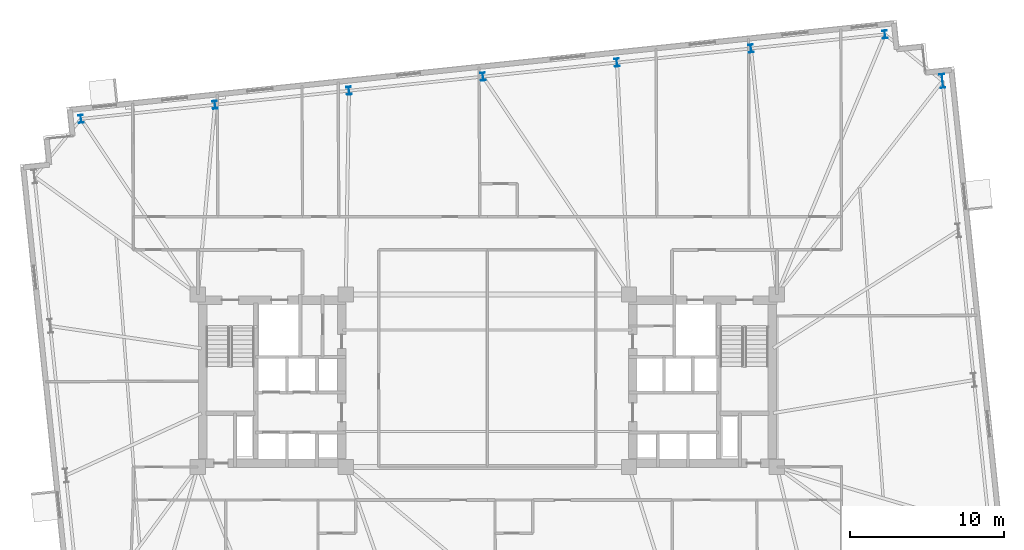
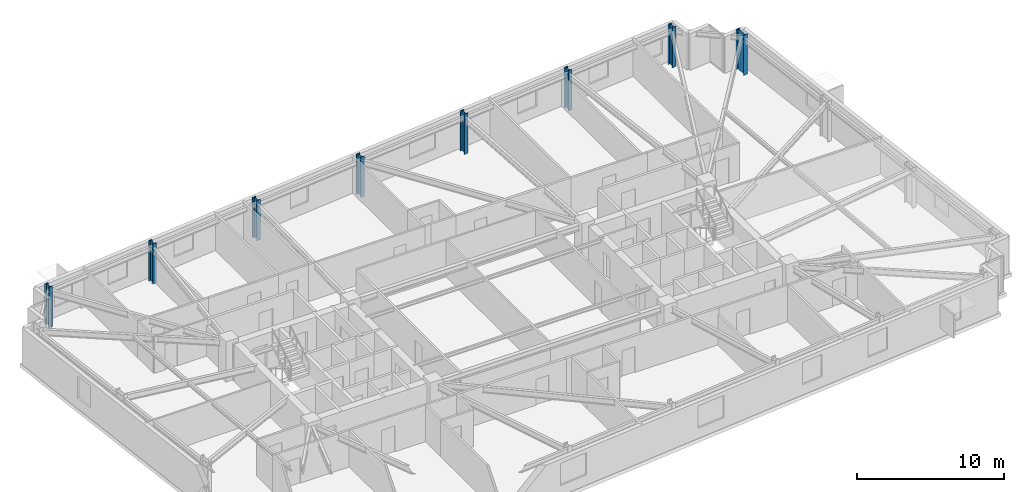
# One storey, part 3 of 18: 8 columns.
"""IFC4 building model written with IfcOpenShell, lengths in metres."""

from ifc_helpers import new_model, si_unit, direction, frame, origin, origin_2d, place, context, subcontext, project, spatial, i_section, extrude, material, material_profile, profile_set, type_object, element, save


model = new_model("IFC4")

# Units and contexts
model_context = context("Model", 3, precision=1e-05, world=origin(), true_north=direction((0.0, 1.0)))
body_context = subcontext(model_context, "Body", "Model", "MODEL_VIEW")
ifc_project = project(units=[si_unit("LENGTHUNIT", "METRE"), si_unit("AREAUNIT", "SQUARE_METRE"), si_unit("VOLUMEUNIT", "CUBIC_METRE"), si_unit("PLANEANGLEUNIT", "RADIAN"), si_unit("MASSUNIT", "GRAM", prefix="KILO")], contexts=[model_context])

# Site, building, storey
site_placement = place(None, origin())
site = spatial("IfcSite", under=ifc_project, at=site_placement, CompositionType="ELEMENT")
building_placement = place(site_placement, origin())
building = spatial("IfcBuilding", under=site, at=building_placement, Name="Qobustan Lattice House", CompositionType="ELEMENT")
storey_placement = place(building_placement, frame((0.0, 0.0, 109.14990234375)))
storey = spatial("IfcBuildingStorey", under=building, at=storey_placement, Name="L30", CompositionType="ELEMENT", Elevation=109.14990234375)

# Columns
ifc_material_1 = material(Name="Steel S355", Category="steel")
ifc_material_profile_1 = material_profile(ifc_material_1, i_section(OverallWidth=0.300048828125, OverallDepth=0.89990234375, WebThickness=0.0185546875, FlangeThickness=0.034912109375, FilletRadius=0.030029296875, at=origin_2d()), Name="HEB900")
ifc_profile_set_1 = profile_set([ifc_material_profile_1], Name="Steel S355")
column_type_1 = type_object("IfcColumnType", Name="COL-ST-HEB900", PredefinedType="COLUMN", material=ifc_profile_set_1)
column_placement = place(storey_placement, frame((29.55615234375, 19.468994140625, 0.0), z_axis=(0.0, 0.0, 1.0), x_axis=(0.994521895368, 0.104528463268, 0.0)))
element("IfcColumn", 1, at=column_placement, inside=storey, type_object=column_type_1, Name="L30 B2 perimeter column E4", PredefinedType="COLUMN", context=body_context, shape_type="SweptSolid", body=[
    extrude(i_section(OverallWidth=0.300048828125, OverallDepth=0.89990234375, WebThickness=0.0185546875, FlangeThickness=0.034912109375, FilletRadius=0.030029296875, at=origin_2d()), origin(), (0.0, 0.0, 1.0), 3.35009765625),
])
ifc_material_2 = material(Name="Steel S355", Category="steel")
ifc_material_profile_2 = material_profile(ifc_material_2, i_section(OverallWidth=0.305908203125, OverallDepth=0.52392578125, WebThickness=0.02099609375, FlangeThickness=0.0400390625, FilletRadius=0.027099609375, at=origin_2d()), Name="HEM500")
ifc_profile_set_2 = profile_set([ifc_material_profile_2], Name="Steel S355")
column_type_2 = type_object("IfcColumnType", Name="COL-ST-HEM500", PredefinedType="COLUMN", material=ifc_profile_set_2)
for number, where, z_axis, x_axis, name in (
    (2, (25.819580078125, 22.4951171875, 0.0), (0.0, 0.0, 1.0), (0.994521895368, 0.104528463268, 0.0), "L30 B2 perimeter column N1"),
    (3, (17.117431640625, 21.580322265625, 0.0), (0.0, 0.0, 1.0), (0.994521895368, 0.104528463268, 0.0), "L30 B2 perimeter column N2"),
    (4, (8.415283203125, 20.665771484375, 0.0), (0.0, 0.0, 1.0), (0.994521895368, 0.104528463268, 0.0), "L30 B2 perimeter column N3"),
    (5, (-0.28662109375, 19.751220703125, 0.0), (0.0, 0.0, 1.0), (0.994521895368, 0.104528463268, 0.0), "L30 B2 perimeter column N4"),
    (6, (-8.98876953125, 18.83642578125, 0.0), (0.0, 0.0, 1.0), (0.994521895368, 0.104528463268, 0.0), "L30 B2 perimeter column N5"),
    (7, (-17.69091796875, 17.921875, 0.0), (0.0, 0.0, 1.0), (0.994521895368, 0.104528463268, 0.0), "L30 B2 perimeter column N6"),
    (8, (-26.392822265625, 17.007080078125, 0.0), (0.0, 0.0, 1.0), (0.994521895368, 0.104528463268, 0.0), "L30 B2 perimeter column N7"),
):
    element("IfcColumn", number, at=place(storey_placement, frame(where, z_axis=z_axis, x_axis=x_axis)), inside=storey, type_object=column_type_2, Name=name, PredefinedType="COLUMN", context=body_context, shape_type="SweptSolid", body=[
        extrude(i_section(OverallWidth=0.305908203125, OverallDepth=0.52392578125, WebThickness=0.02099609375, FlangeThickness=0.0400390625, FilletRadius=0.027099609375, at=origin_2d()), origin(), (0.0, 0.0, 1.0), 3.35009765625),
    ])

save(model, "model.ifc")
